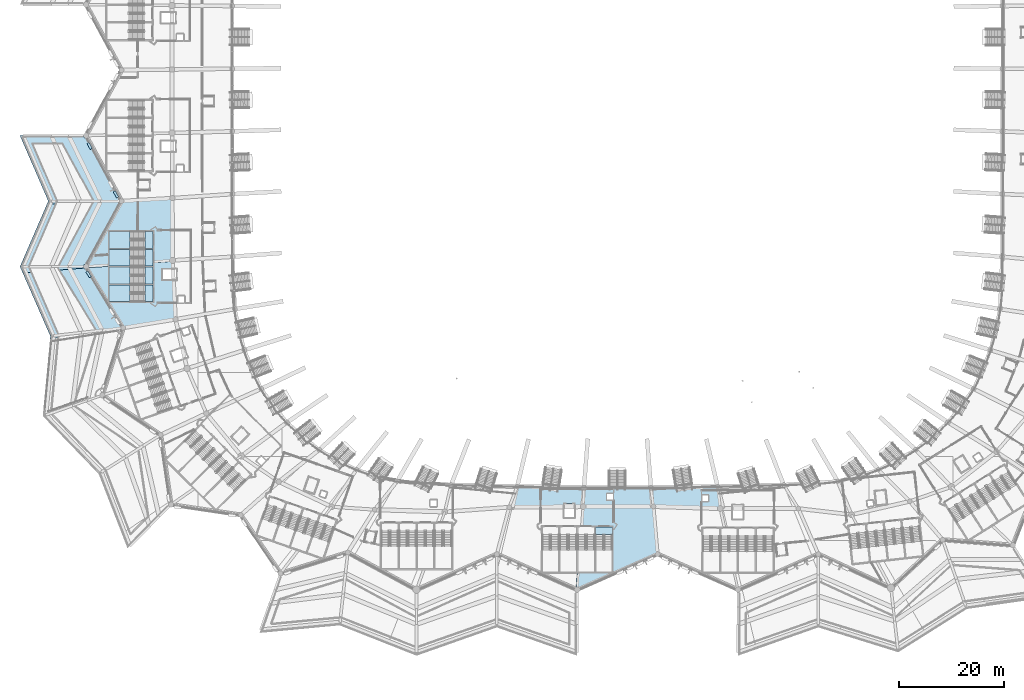
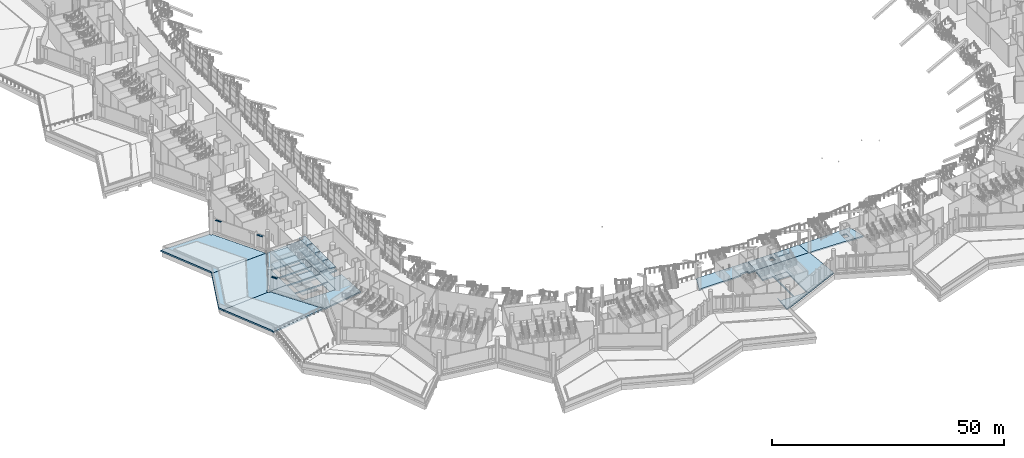
# One storey, part 24 of 173: 31 slabs, 3 plates, 5 elements without a shape of their own.
"""IFC4 building model written with IfcOpenShell, lengths in metres."""

from ifc_helpers import new_model, si_unit, direction, frame, origin, origin_2d, place, context, subcontext, project, spatial, polyline, rectangle, outline, extrude, material, layer, layer_set, type_object, element, aggregate, save


model = new_model("IFC4")

# Units and contexts
model_context = context("Model", 3, precision=1e-05, world=origin(), true_north=direction((0.0, 1.0)))
body_context = subcontext(model_context, "Body", "Model", "MODEL_VIEW")
ifc_project = project(units=[si_unit("LENGTHUNIT", "METRE"), si_unit("AREAUNIT", "SQUARE_METRE"), si_unit("VOLUMEUNIT", "CUBIC_METRE"), si_unit("PLANEANGLEUNIT", "RADIAN"), si_unit("MASSUNIT", "GRAM", prefix="KILO")], contexts=[model_context])

# Site, building, storey
site_placement = place(None, origin())
site = spatial("IfcSite", under=ifc_project, at=site_placement, CompositionType="ELEMENT")
building_placement = place(site_placement, origin())
building = spatial("IfcBuilding", under=site, at=building_placement, Name="Meseta Stadium", CompositionType="ELEMENT")
storey_placement = place(building_placement, frame((0.0, 0.0, 18.0)))
storey = spatial("IfcBuildingStorey", under=building, at=storey_placement, Name="L03", CompositionType="ELEMENT", Elevation=18.0)

# Slabs
ifc_material_1 = material(Name="Concrete C40/50", Category="concrete")
ifc_layer_1 = layer(ifc_material_1, 0.35009765625)
ifc_layer_set_1 = layer_set([ifc_layer_1], Name="Floor slab 350")
slab_type_1 = type_object("IfcSlabType", Name="Floor slab 350", PredefinedType="FLOOR", material=ifc_layer_set_1)
slab_1_placement = place(storey_placement, frame((0.0, 0.0, -0.35009765625)))
element("IfcSlab", 1, at=slab_1_placement, inside=storey, type_object=slab_type_1, Name="Floor slab L03 sector 35 panel 01", PredefinedType="FLOOR", context=body_context, shape_type="SweptSolid", body=[
    extrude(outline(polyline([(-94.60009765625, -31.25), (-101.39990234375, -43.75), (-101.24853515625, -43.999267578125), (-96.697021484375, -43.64990234375), (-97.0, -43.64990234375), (-97.0, -40.449951171875), (-88.60009765625, -40.449951171875), (-88.60009765625, -43.028564453125), (-84.875, -42.74267578125), (-84.884033203125, -42.5615234375), (-84.92578125, -30.543212890625), (-94.693115234375, -31.07861328125), (-94.60009765625, -31.25)]), holes=[polyline([(-97.0, -40.25), (-97.0, -37.050048828125), (-88.60009765625, -37.050048828125), (-88.60009765625, -40.25), (-97.0, -40.25)])]), origin(), (0.0, 0.0, 1.0), 0.35009765625),
])
slab_2_placement = place(storey_placement, frame((0.0, 0.0, -0.35009765625)))
element("IfcSlab", 2, at=slab_2_placement, inside=storey, type_object=slab_type_1, Name="Floor slab L03 sector 35 panel 02", PredefinedType="FLOOR", context=body_context, shape_type="SweptSolid", body=[
    extrude(outline(polyline([(-88.60009765625, -43.028564453125), (-88.60009765625, -43.64990234375), (-96.697021484375, -43.64990234375), (-101.24853515625, -43.999267578125), (-94.29443359375, -55.44140625), (-84.3251953125, -53.801513671875), (-84.703125, -46.199951171875), (-86.800048828125, -46.199951171875), (-86.800048828125, -44.300048828125), (-84.797607421875, -44.300048828125), (-84.875, -42.74267578125), (-88.60009765625, -43.028564453125)]), holes=[polyline([(-97.0, -47.25), (-88.60009765625, -47.25), (-88.60009765625, -50.449951171875), (-97.0, -50.449951171875), (-97.0, -47.25)]), polyline([(-97.0, -47.050048828125), (-97.0, -43.85009765625), (-88.60009765625, -43.85009765625), (-88.60009765625, -47.050048828125), (-97.0, -47.050048828125)])]), origin(), (0.0, 0.0, 1.0), 0.35009765625),
])
slab_3_placement = place(storey_placement, frame((0.0, 0.0, -0.35009765625)))
element("IfcSlab", 3, at=slab_3_placement, inside=storey, type_object=slab_type_1, Name="Floor slab L03 sector 42 panel 08", PredefinedType="FLOOR", context=body_context, shape_type="SweptSolid", body=[
    extrude(outline(polyline([(-14.884521484375, -85.77587890625), (-17.0029296875, -85.7392578125), (-19.11865234375, -85.6982421875), (-20.649658203125, -89.65625), (-10.11669921875, -89.574462890625), (-10.11669921875, -89.0), (-8.216796875, -89.0), (-8.216796875, -89.5595703125), (-6.51708984375, -89.54638671875), (-6.386962890625, -85.876708984375), (-8.51416015625, -85.85888671875), (-10.6396484375, -85.8359375), (-12.76318359375, -85.808349609375), (-14.884521484375, -85.77587890625)])), origin(), (0.0, 0.0, 1.0), 0.35009765625),
])
slab_4_placement = place(storey_placement, frame((0.0, 0.0, -0.35009765625)))
element("IfcSlab", 4, at=slab_4_placement, inside=storey, type_object=slab_type_1, Name="Floor slab L03 sector 42 panel 09", PredefinedType="FLOOR", context=body_context, shape_type="SweptSolid", body=[
    extrude(outline(polyline([(-2.129638671875, -85.8974609375), (-4.2587890625, -85.8896484375), (-6.386962890625, -85.876708984375), (-6.51708984375, -89.54638671875), (6.676025390625, -89.518310546875), (6.386962890625, -85.876708984375), (4.2587890625, -85.8896484375), (2.129638671875, -85.8974609375), (0.0, -85.89990234375), (-2.129638671875, -85.8974609375)]), holes=[polyline([(-2.0166015625, -88.25), (-2.0166015625, -87.050048828125), (-0.816650390625, -87.050048828125), (-0.816650390625, -88.25), (-2.0166015625, -88.25)])]), origin(), (0.0, 0.0, 1.0), 0.35009765625),
])
slab_5_placement = place(storey_placement, frame((0.0, 0.0, -0.35009765625)))
element("IfcSlab", 5, at=slab_5_placement, inside=storey, type_object=slab_type_1, Name="Floor slab L03 sector 42 panel 10", PredefinedType="FLOOR", context=body_context, shape_type="SweptSolid", body=[
    extrude(outline(polyline([(-7.566650390625, -102.10009765625), (-7.566650390625, -100.740478515625), (-7.92724609375, -105.284423828125), (-7.666748046875, -105.39990234375), (7.666748046875, -98.60009765625), (6.87060546875, -89.517822265625), (-6.51708984375, -89.54638671875), (-6.678466796875, -89.547607421875), (-6.984130859375, -93.39990234375), (-4.36669921875, -93.39990234375), (-4.36669921875, -102.10009765625), (-7.566650390625, -102.10009765625)]), holes=[polyline([(-0.966796875, -102.10009765625), (-4.166748046875, -102.10009765625), (-4.166748046875, -93.39990234375), (-0.966796875, -93.39990234375), (-0.966796875, -102.10009765625)])]), origin(), (0.0, 0.0, 1.0), 0.35009765625),
])
slab_6_placement = place(storey_placement, frame((0.0, 0.0, -0.35009765625)))
element("IfcSlab", 6, at=slab_6_placement, inside=storey, type_object=slab_type_1, Name="Floor slab L03 sector 42 panel 11", PredefinedType="FLOOR", context=body_context, shape_type="SweptSolid", body=[
    extrude(outline(polyline([(6.386962890625, -85.876708984375), (6.676025390625, -89.518310546875), (6.87060546875, -89.517822265625), (19.62744140625, -89.90380859375), (20.1201171875, -89.904052734375), (19.11865234375, -85.6982421875), (17.0029296875, -85.7392578125), (14.884521484375, -85.77587890625), (12.76318359375, -85.808349609375), (10.6396484375, -85.8359375), (8.51416015625, -85.85888671875), (6.386962890625, -85.876708984375)]), holes=[polyline([(16.14990234375, -87.35009765625), (17.35009765625, -87.35009765625), (17.35009765625, -88.550048828125), (16.14990234375, -88.550048828125), (16.14990234375, -87.35009765625)])]), origin(), (0.0, 0.0, 1.0), 0.35009765625),
])

# Plates
ifc_material_2 = material(Name="White precast concrete C40/50", Category="concrete")
ifc_layer_2 = layer(ifc_material_2, 0.080078125)
ifc_layer_set_2 = layer_set([ifc_layer_2], Name="Louvre hood 1300x450")
plate_type = type_object("IfcPlateType", Name="Louvre hood 1300x450", PredefinedType="USERDEFINED", material=ifc_layer_set_2)
for number, where, z_axis, x_axis, name in (
    (7, (-95.696044921875, -29.9677734375, 4.25), (0.0, 0.0, 1.0), (0.477867090202, -0.878432151109, 0.0), "Louvre hood L03 F34"),
    (8, (-100.713623046875, -20.744384765625, 4.25), (0.0, 0.0, 1.0), (0.477867090202, -0.878432151109, 0.0), "Louvre hood L03 F34"),
    (9, (-100.90380859375, -45.240478515625, 4.25), (0.0, 0.0, 1.0), (0.519362172223, -0.854554231201, 0.0), "Louvre hood L03 F36"),
):
    element("IfcPlate", number, at=place(storey_placement, frame(where, z_axis=z_axis, x_axis=x_axis)), inside=storey, type_object=plate_type, Name=name, ObjectType="LOUVRE", PredefinedType="USERDEFINED", context=body_context, shape_type="SweptSolid", body=[
        extrude(rectangle(XDim=1.300048828125, YDim=0.449951171875, at=origin_2d()), origin(), (0.0, 0.0, 1.0), 0.080078125),
    ])

# Slabs
ifc_material_3 = material(Name="Concrete C40/50", Category="concrete")
ifc_layer_3 = layer(ifc_material_3, 0.39990234375)
ifc_layer_set_3 = layer_set([ifc_layer_3], Name="Roof garden slab 400")
slab_type_2 = type_object("IfcSlabType", Name="Roof garden slab 400", PredefinedType="ROOF", material=ifc_layer_set_3)
slab_7_placement = place(storey_placement, frame((0.0, 0.0, -0.39990234375)))
element("IfcSlab", 10, at=slab_7_placement, inside=storey, type_object=slab_type_2, Name="Roof garden slab 5 part 1", PredefinedType="ROOF", context=body_context, shape_type="SweptSolid", body=[
    extrude(outline(polyline([(-108.60009765625, -31.25), (-108.852783203125, -31.8349609375), (-95.01513671875, -31.076416015625), (-94.9931640625, -31.023193359375), (-94.935302734375, -30.94775390625), (-101.30322265625, -19.24169921875), (-101.39990234375, -19.25439453125), (-101.530517578125, -19.237060546875), (-101.652099609375, -19.186767578125), (-101.756591796875, -19.106689453125), (-101.836669921875, -19.002197265625), (-101.88720703125, -18.880615234375), (-101.904296875, -18.75), (-114.0, -18.75), (-108.60009765625, -31.25)])), origin(), (0.0, 0.0, 1.0), 0.39990234375),
])
slab_8_placement = place(storey_placement, frame((0.0, 0.0, -0.39990234375)))
element("IfcSlab", 11, at=slab_8_placement, inside=storey, type_object=slab_type_2, Name="Roof garden slab 5 part 2 panel 01", PredefinedType="ROOF", context=body_context, shape_type="SweptSolid", body=[
    extrude(outline(polyline([(-114.0, -43.75), (-113.480712890625, -44.938232421875), (-101.80615234375, -44.0419921875), (-101.836669921875, -44.002197265625), (-101.88720703125, -43.880615234375), (-101.904296875, -43.75), (-101.88720703125, -43.619384765625), (-101.836669921875, -43.497802734375), (-101.756591796875, -43.393310546875), (-101.652099609375, -43.313232421875), (-101.530517578125, -43.262939453125), (-101.39990234375, -43.24560546875), (-101.30322265625, -43.25830078125), (-94.935302734375, -31.55224609375), (-94.9931640625, -31.476806640625), (-95.038330078125, -31.367431640625), (-95.053955078125, -31.25), (-95.038330078125, -31.132568359375), (-95.023681640625, -31.0966796875), (-108.861572265625, -31.85546875), (-114.0, -43.75)])), origin(), (0.0, 0.0, 1.0), 0.39990234375),
])
slab_9_placement = place(storey_placement, frame((0.0, 0.0, -0.39990234375)))
element("IfcSlab", 12, at=slab_9_placement, inside=storey, type_object=slab_type_2, Name="Roof garden slab 5 part 2 panel 02", PredefinedType="ROOF", context=body_context, shape_type="SweptSolid", body=[
    extrude(outline(polyline([(-108.255615234375, -57.526611328125), (-94.736083984375, -55.34912109375), (-94.73291015625, -55.323974609375), (-94.6875, -55.214599609375), (-94.64306640625, -55.156494140625), (-101.27880859375, -44.23828125), (-101.39990234375, -44.25439453125), (-101.530517578125, -44.237060546875), (-101.652099609375, -44.186767578125), (-101.756591796875, -44.106689453125), (-101.80615234375, -44.0419921875), (-113.480712890625, -44.938232421875), (-108.206298828125, -57.009033203125), (-108.255615234375, -57.526611328125)])), origin(), (0.0, 0.0, 1.0), 0.39990234375),
])

# Stair, slabs
ifc_material_4 = material(Name="Concrete C40/50", Category="concrete")
stair_type = type_object("IfcStairType", Name="Exit stair 4 flights 150 mm risers", PredefinedType="HALF_TURN_STAIR", material=ifc_material_4)
stair_1_placement = place(storey_placement, origin())
stair_1 = element("IfcStair", 13, at=stair_1_placement, inside=storey, type_object=stair_type, Name="ST73 L03", PredefinedType="HALF_TURN_STAIR")
ifc_material_5 = material(Name="Concrete C40/50", Category="concrete")
ifc_layer_4 = layer(ifc_material_5, 0.199951171875)
ifc_layer_set_4 = layer_set([ifc_layer_4], Name="Stair landing 200")
slab_type_3 = type_object("IfcSlabType", Name="Stair landing 200", PredefinedType="LANDING", material=ifc_layer_set_4)
slab_10_placement = place(storey_placement, frame((0.0, 0.0, 1.300048828125)))
slab_10 = element("IfcSlab", 14, at=slab_10_placement, type_object=slab_type_3, Name="ST73 L03 landing 1", PredefinedType="LANDING", context=body_context, shape_type="SweptSolid", body=[
    extrude(outline(polyline([(-92.969970703125, -37.050048828125), (-97.0, -37.050048828125), (-97.0, -40.25), (-92.969970703125, -40.25), (-92.969970703125, -37.050048828125)])), origin(), (0.0, 0.0, 1.0), 0.199951171875),
])
slab_11_placement = place(storey_placement, frame((0.0, 0.0, 2.800048828125)))
slab_11 = element("IfcSlab", 15, at=slab_11_placement, type_object=slab_type_3, Name="ST73 L03 landing 2", PredefinedType="LANDING", context=body_context, shape_type="SweptSolid", body=[
    extrude(outline(polyline([(-88.60009765625, -37.050048828125), (-90.110107421875, -37.050048828125), (-90.110107421875, -40.25), (-88.60009765625, -40.25), (-88.60009765625, -37.050048828125)])), origin(), (0.0, 0.0, 1.0), 0.199951171875),
])
slab_12_placement = place(storey_placement, frame((0.0, 0.0, 4.300048828125)))
slab_12 = element("IfcSlab", 16, at=slab_12_placement, type_object=slab_type_3, Name="ST73 L03 landing 3", PredefinedType="LANDING", context=body_context, shape_type="SweptSolid", body=[
    extrude(outline(polyline([(-92.969970703125, -37.050048828125), (-97.0, -37.050048828125), (-97.0, -40.25), (-92.969970703125, -40.25), (-92.969970703125, -37.050048828125)])), origin(), (0.0, 0.0, 1.0), 0.199951171875),
])
slab_13_placement = place(storey_placement, frame((0.0, 0.0, -0.199951171875)))
slab_13 = element("IfcSlab", 17, at=slab_13_placement, type_object=slab_type_3, Name="ST73 L03 landing 4", PredefinedType="LANDING", context=body_context, shape_type="SweptSolid", body=[
    extrude(outline(polyline([(-88.60009765625, -37.050048828125), (-90.110107421875, -37.050048828125), (-90.110107421875, -40.25), (-88.60009765625, -40.25), (-88.60009765625, -37.050048828125)])), origin(), (0.0, 0.0, 1.0), 0.199951171875),
])
slab_14_placement = place(storey_placement, frame((0.0, 0.0, 5.800048828125)))
slab_14 = element("IfcSlab", 18, at=slab_14_placement, type_object=slab_type_3, Name="ST73 L03 landing 5", PredefinedType="LANDING", context=body_context, shape_type="SweptSolid", body=[
    extrude(outline(polyline([(-88.60009765625, -37.050048828125), (-90.110107421875, -37.050048828125), (-90.110107421875, -40.25), (-88.60009765625, -40.25), (-88.60009765625, -37.050048828125)])), origin(), (0.0, 0.0, 1.0), 0.199951171875),
])
aggregate(stair_1, [slab_10, slab_11, slab_12, slab_13, slab_14])

stair_2_placement = place(storey_placement, origin())
stair_2 = element("IfcStair", 19, at=stair_2_placement, inside=storey, type_object=stair_type, Name="ST74 L03", PredefinedType="HALF_TURN_STAIR")
slab_15_placement = place(storey_placement, frame((0.0, 0.0, 1.300048828125)))
slab_15 = element("IfcSlab", 20, at=slab_15_placement, type_object=slab_type_3, Name="ST74 L03 landing 1", PredefinedType="LANDING", context=body_context, shape_type="SweptSolid", body=[
    extrude(outline(polyline([(-92.969970703125, -40.449951171875), (-97.0, -40.449951171875), (-97.0, -43.64990234375), (-92.969970703125, -43.64990234375), (-92.969970703125, -40.449951171875)])), origin(), (0.0, 0.0, 1.0), 0.199951171875),
])
slab_16_placement = place(storey_placement, frame((0.0, 0.0, 2.800048828125)))
slab_16 = element("IfcSlab", 21, at=slab_16_placement, type_object=slab_type_3, Name="ST74 L03 landing 2", PredefinedType="LANDING", context=body_context, shape_type="SweptSolid", body=[
    extrude(outline(polyline([(-88.60009765625, -40.449951171875), (-90.110107421875, -40.449951171875), (-90.110107421875, -43.64990234375), (-88.60009765625, -43.64990234375), (-88.60009765625, -40.449951171875)])), origin(), (0.0, 0.0, 1.0), 0.199951171875),
])
slab_17_placement = place(storey_placement, frame((0.0, 0.0, 4.300048828125)))
slab_17 = element("IfcSlab", 22, at=slab_17_placement, type_object=slab_type_3, Name="ST74 L03 landing 3", PredefinedType="LANDING", context=body_context, shape_type="SweptSolid", body=[
    extrude(outline(polyline([(-92.969970703125, -40.449951171875), (-97.0, -40.449951171875), (-97.0, -43.64990234375), (-92.969970703125, -43.64990234375), (-92.969970703125, -40.449951171875)])), origin(), (0.0, 0.0, 1.0), 0.199951171875),
])
slab_18_placement = place(storey_placement, frame((0.0, 0.0, -0.199951171875)))
slab_18 = element("IfcSlab", 23, at=slab_18_placement, type_object=slab_type_3, Name="ST74 L03 landing 4", PredefinedType="LANDING", context=body_context, shape_type="SweptSolid", body=[
    extrude(outline(polyline([(-88.60009765625, -40.449951171875), (-90.110107421875, -40.449951171875), (-90.110107421875, -43.64990234375), (-88.60009765625, -43.64990234375), (-88.60009765625, -40.449951171875)])), origin(), (0.0, 0.0, 1.0), 0.199951171875),
])
slab_19_placement = place(storey_placement, frame((0.0, 0.0, 5.800048828125)))
slab_19 = element("IfcSlab", 24, at=slab_19_placement, type_object=slab_type_3, Name="ST74 L03 landing 5", PredefinedType="LANDING", context=body_context, shape_type="SweptSolid", body=[
    extrude(outline(polyline([(-88.60009765625, -40.449951171875), (-90.110107421875, -40.449951171875), (-90.110107421875, -43.64990234375), (-88.60009765625, -43.64990234375), (-88.60009765625, -40.449951171875)])), origin(), (0.0, 0.0, 1.0), 0.199951171875),
])
aggregate(stair_2, [slab_15, slab_16, slab_17, slab_18, slab_19])

stair_3_placement = place(storey_placement, origin())
stair_3 = element("IfcStair", 25, at=stair_3_placement, inside=storey, type_object=stair_type, Name="ST75 L03", PredefinedType="HALF_TURN_STAIR")
slab_20_placement = place(storey_placement, frame((0.0, 0.0, 1.300048828125)))
slab_20 = element("IfcSlab", 26, at=slab_20_placement, type_object=slab_type_3, Name="ST75 L03 landing 1", PredefinedType="LANDING", context=body_context, shape_type="SweptSolid", body=[
    extrude(outline(polyline([(-92.969970703125, -43.85009765625), (-97.0, -43.85009765625), (-97.0, -47.050048828125), (-92.969970703125, -47.050048828125), (-92.969970703125, -43.85009765625)])), origin(), (0.0, 0.0, 1.0), 0.199951171875),
])
slab_21_placement = place(storey_placement, frame((0.0, 0.0, 2.800048828125)))
slab_21 = element("IfcSlab", 27, at=slab_21_placement, type_object=slab_type_3, Name="ST75 L03 landing 2", PredefinedType="LANDING", context=body_context, shape_type="SweptSolid", body=[
    extrude(outline(polyline([(-88.60009765625, -43.85009765625), (-90.110107421875, -43.85009765625), (-90.110107421875, -47.050048828125), (-88.60009765625, -47.050048828125), (-88.60009765625, -43.85009765625)])), origin(), (0.0, 0.0, 1.0), 0.199951171875),
])
slab_22_placement = place(storey_placement, frame((0.0, 0.0, 4.300048828125)))
slab_22 = element("IfcSlab", 28, at=slab_22_placement, type_object=slab_type_3, Name="ST75 L03 landing 3", PredefinedType="LANDING", context=body_context, shape_type="SweptSolid", body=[
    extrude(outline(polyline([(-92.969970703125, -43.85009765625), (-97.0, -43.85009765625), (-97.0, -47.050048828125), (-92.969970703125, -47.050048828125), (-92.969970703125, -43.85009765625)])), origin(), (0.0, 0.0, 1.0), 0.199951171875),
])
slab_23_placement = place(storey_placement, frame((0.0, 0.0, -0.199951171875)))
slab_23 = element("IfcSlab", 29, at=slab_23_placement, type_object=slab_type_3, Name="ST75 L03 landing 4", PredefinedType="LANDING", context=body_context, shape_type="SweptSolid", body=[
    extrude(outline(polyline([(-88.60009765625, -43.85009765625), (-90.110107421875, -43.85009765625), (-90.110107421875, -47.050048828125), (-88.60009765625, -47.050048828125), (-88.60009765625, -43.85009765625)])), origin(), (0.0, 0.0, 1.0), 0.199951171875),
])
slab_24_placement = place(storey_placement, frame((0.0, 0.0, 5.800048828125)))
slab_24 = element("IfcSlab", 30, at=slab_24_placement, type_object=slab_type_3, Name="ST75 L03 landing 5", PredefinedType="LANDING", context=body_context, shape_type="SweptSolid", body=[
    extrude(outline(polyline([(-88.60009765625, -43.85009765625), (-90.110107421875, -43.85009765625), (-90.110107421875, -47.050048828125), (-88.60009765625, -47.050048828125), (-88.60009765625, -43.85009765625)])), origin(), (0.0, 0.0, 1.0), 0.199951171875),
])
aggregate(stair_3, [slab_20, slab_21, slab_22, slab_23, slab_24])

stair_4_placement = place(storey_placement, origin())
stair_4 = element("IfcStair", 31, at=stair_4_placement, inside=storey, type_object=stair_type, Name="ST76 L03", PredefinedType="HALF_TURN_STAIR")
slab_25_placement = place(storey_placement, frame((0.0, 0.0, 1.300048828125)))
slab_25 = element("IfcSlab", 32, at=slab_25_placement, type_object=slab_type_3, Name="ST76 L03 landing 1", PredefinedType="LANDING", context=body_context, shape_type="SweptSolid", body=[
    extrude(outline(polyline([(-92.969970703125, -47.25), (-97.0, -47.25), (-97.0, -50.449951171875), (-92.969970703125, -50.449951171875), (-92.969970703125, -47.25)])), origin(), (0.0, 0.0, 1.0), 0.199951171875),
])
slab_26_placement = place(storey_placement, frame((0.0, 0.0, 2.800048828125)))
slab_26 = element("IfcSlab", 33, at=slab_26_placement, type_object=slab_type_3, Name="ST76 L03 landing 2", PredefinedType="LANDING", context=body_context, shape_type="SweptSolid", body=[
    extrude(outline(polyline([(-88.60009765625, -47.25), (-90.110107421875, -47.25), (-90.110107421875, -50.449951171875), (-88.60009765625, -50.449951171875), (-88.60009765625, -47.25)])), origin(), (0.0, 0.0, 1.0), 0.199951171875),
])
slab_27_placement = place(storey_placement, frame((0.0, 0.0, 4.300048828125)))
slab_27 = element("IfcSlab", 34, at=slab_27_placement, type_object=slab_type_3, Name="ST76 L03 landing 3", PredefinedType="LANDING", context=body_context, shape_type="SweptSolid", body=[
    extrude(outline(polyline([(-92.969970703125, -47.25), (-97.0, -47.25), (-97.0, -50.449951171875), (-92.969970703125, -50.449951171875), (-92.969970703125, -47.25)])), origin(), (0.0, 0.0, 1.0), 0.199951171875),
])
slab_28_placement = place(storey_placement, frame((0.0, 0.0, -0.199951171875)))
slab_28 = element("IfcSlab", 35, at=slab_28_placement, type_object=slab_type_3, Name="ST76 L03 landing 4", PredefinedType="LANDING", context=body_context, shape_type="SweptSolid", body=[
    extrude(outline(polyline([(-88.60009765625, -47.25), (-90.110107421875, -47.25), (-90.110107421875, -50.449951171875), (-88.60009765625, -50.449951171875), (-88.60009765625, -47.25)])), origin(), (0.0, 0.0, 1.0), 0.199951171875),
])
slab_29_placement = place(storey_placement, frame((0.0, 0.0, 5.800048828125)))
slab_29 = element("IfcSlab", 36, at=slab_29_placement, type_object=slab_type_3, Name="ST76 L03 landing 5", PredefinedType="LANDING", context=body_context, shape_type="SweptSolid", body=[
    extrude(outline(polyline([(-88.60009765625, -47.25), (-90.110107421875, -47.25), (-90.110107421875, -50.449951171875), (-88.60009765625, -50.449951171875), (-88.60009765625, -47.25)])), origin(), (0.0, 0.0, 1.0), 0.199951171875),
])
aggregate(stair_4, [slab_25, slab_26, slab_27, slab_28, slab_29])

stair_5_placement = place(storey_placement, origin())
stair_5 = element("IfcStair", 37, at=stair_5_placement, inside=storey, type_object=stair_type, Name="ST96 L03", PredefinedType="HALF_TURN_STAIR")
slab_30_placement = place(storey_placement, frame((0.0, 0.0, -0.199951171875)))
slab_30 = element("IfcSlab", 38, at=slab_30_placement, type_object=slab_type_3, Name="ST96 L03 landing 4", PredefinedType="LANDING", context=body_context, shape_type="SweptSolid", body=[
    extrude(outline(polyline([(-4.166748046875, -93.39990234375), (-4.166748046875, -94.909912109375), (-0.966552734375, -94.909912109375), (-0.966552734375, -93.39990234375), (-4.166748046875, -93.39990234375)])), origin(), (0.0, 0.0, 1.0), 0.199951171875),
])
slab_31_placement = place(storey_placement, frame((0.0, 0.0, 5.800048828125)))
slab_31 = element("IfcSlab", 39, at=slab_31_placement, type_object=slab_type_3, Name="ST96 L03 landing 5", PredefinedType="LANDING", context=body_context, shape_type="SweptSolid", body=[
    extrude(outline(polyline([(-4.166748046875, -93.39990234375), (-4.166748046875, -94.909912109375), (-0.966552734375, -94.909912109375), (-0.966552734375, -93.39990234375), (-4.166748046875, -93.39990234375)])), origin(), (0.0, 0.0, 1.0), 0.199951171875),
])
aggregate(stair_5, [slab_30, slab_31])

save(model, "model.ifc")
